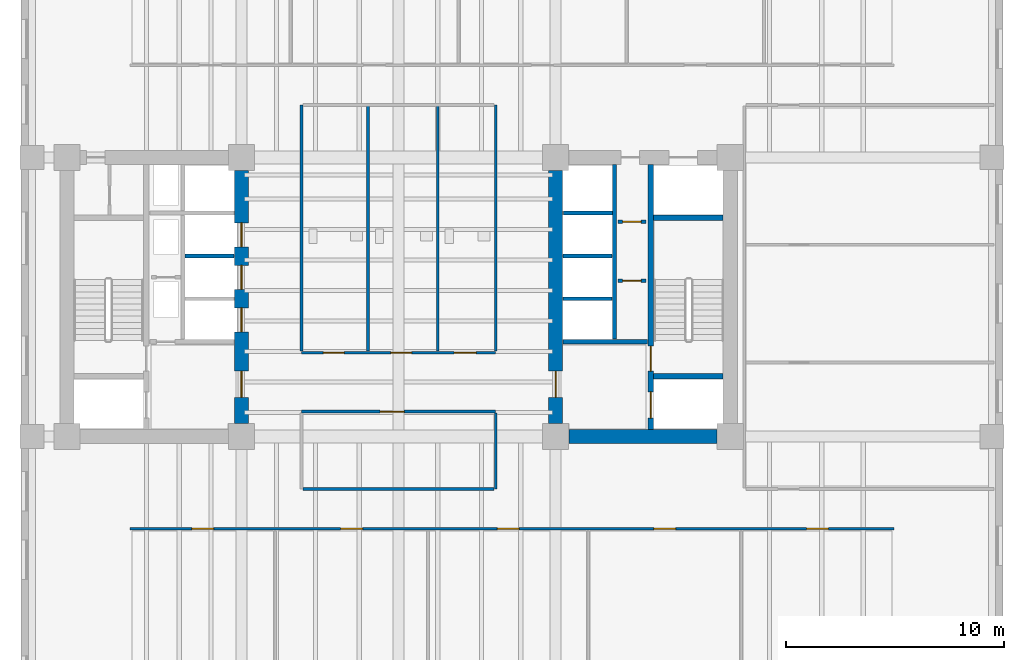
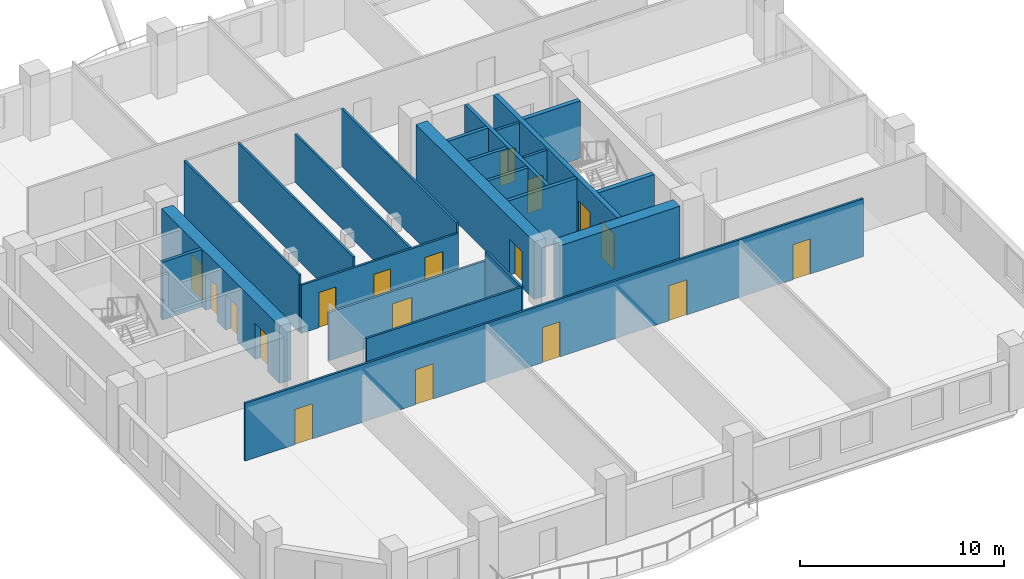
# One storey, part 6 of 12: 23 walls, 18 doors, 18 openings.
"""IFC4 building model written with IfcOpenShell, lengths in metres."""

from ifc_helpers import new_model, si_unit, direction, frame, frame_2d, origin, place, context, subcontext, project, spatial, rectangle, extrude, material, layer, layer_set, type_object, element, fill, save


model = new_model("IFC4")

# Units and contexts
model_context = context("Model", 3, precision=1e-05, world=origin(), true_north=direction((0.0, 1.0)))
body_context = subcontext(model_context, "Body", "Model", "MODEL_VIEW")
ifc_project = project(units=[si_unit("LENGTHUNIT", "METRE"), si_unit("AREAUNIT", "SQUARE_METRE"), si_unit("VOLUMEUNIT", "CUBIC_METRE"), si_unit("PLANEANGLEUNIT", "RADIAN"), si_unit("MASSUNIT", "GRAM", prefix="KILO")], contexts=[model_context])

# Site, building, storey
site_placement = place(None, origin())
site = spatial("IfcSite", under=ifc_project, at=site_placement, CompositionType="ELEMENT")
building_placement = place(site_placement, origin())
building = spatial("IfcBuilding", under=site, at=building_placement, Name="Kranthara Brick Stack", CompositionType="ELEMENT")
storey_placement = place(building_placement, frame((0.0, 0.0, 67.199951171875)))
storey = spatial("IfcBuildingStorey", under=building, at=storey_placement, Name="L16", CompositionType="ELEMENT", Elevation=67.199951171875)

# Wall, openings, doors
ifc_material_1 = material(Name="Concrete C50/60", Category="concrete")
ifc_layer_1 = layer(ifc_material_1, 0.25)
ifc_layer_set_1 = layer_set([ifc_layer_1], Name="Concrete C50/60")
wall_type_1 = type_object("IfcWallType", Name="WL-CORE-250", PredefinedType="SHEAR", material=ifc_layer_set_1)
wall_1_placement = place(storey_placement, frame((39.56494140625, 21.135009765625, 0.0), z_axis=(0.0, 0.0, 1.0), x_axis=(0.0, 1.0, 0.0)))
wall_1 = element("IfcWall", 1, at=wall_1_placement, inside=storey, type_object=wall_type_1, Name="L16 East Core Stair Bearing Spine Wall", PredefinedType="SHEAR", context=body_context, shape_type="SweptSolid", body=[
    extrude(rectangle(XDim=12.1298828125, YDim=0.25, at=frame_2d((6.06494140625, 0.0))), origin(), (0.0, 0.0, 1.0), 3.449951171875),
])
opening_1_placement = place(wall_1_placement, frame((0.514892578125, 0.0, 0.0)))
opening_1 = element("IfcOpeningElement", 2, at=opening_1_placement, cuts=wall_1, Name="Opening LD01", PredefinedType="OPENING", context=body_context, shape_type="SweptSolid", body=[
    extrude(rectangle(XDim=1.199951171875, YDim=2.14990234375, at=frame_2d((0.60009765625, 1.074951171875))), frame((0.0, 0.135009765625, 0.0), z_axis=(0.0, -1.0, 0.0), x_axis=(1.0, 0.0, 0.0)), (0.0, 0.0, 1.0), 0.27001953125),
])
opening_2_placement = place(wall_1_placement, frame((2.6650390625, 0.0, 0.0)))
opening_2 = element("IfcOpeningElement", 3, at=opening_2_placement, cuts=wall_1, Name="Opening D05", PredefinedType="OPENING", context=body_context, shape_type="SweptSolid", body=[
    extrude(rectangle(XDim=1.14990234375, YDim=2.14990234375, at=frame_2d((0.574951171875, 1.074951171875))), frame((0.0, 0.135009765625, 0.0), z_axis=(0.0, -1.0, 0.0), x_axis=(1.0, 0.0, 0.0)), (0.0, 0.0, 1.0), 0.27001953125),
])
ifc_material_2 = material(Name="Stainless steel sliding landing door", Category="steel")
door_type_1 = type_object("IfcDoorType", Name="DR-LD-FF1200", OperationType="DOUBLE_DOOR_SLIDING", PredefinedType="DOOR", material=ifc_material_2)
door_1_placement = place(opening_1_placement, origin())
door_1 = element("IfcDoor", 4, at=door_1_placement, inside=storey, type_object=door_type_1, Name="L16 Firefighting Lift FF-02 Landing Door", OperationType="DOUBLE_DOOR_SLIDING", OverallHeight=2.14990234375, OverallWidth=1.199951171875, PredefinedType="DOOR", context=body_context, shape_type="SweptSolid", body=[
    extrude(rectangle(XDim=1.199951171875, YDim=2.14990234375, at=frame_2d((0.60009765625, 1.074951171875))), frame((0.0, 0.02490234375, 0.0), z_axis=(0.0, -1.0, 0.0), x_axis=(1.0, 0.0, 0.0)), (0.0, 0.0, 1.0), 0.050048828125),
])
fill(opening_1, door_1)
ifc_material_3 = material(Name="Solid-core hardwood timber leaf in steel frame", Category="steel")
door_type_2 = type_object("IfcDoorType", Name="DR-ST-1150", OperationType="NOTDEFINED", PredefinedType="DOOR", material=ifc_material_3)
door_2_placement = place(opening_2_placement, origin())
door_2 = element("IfcDoor", 5, at=door_2_placement, inside=storey, type_object=door_type_2, Name="L16 Exit Stair ST02 Door", OperationType="SINGLE_SWING_LEFT", OverallHeight=2.14990234375, OverallWidth=1.14990234375, PredefinedType="DOOR", context=body_context, shape_type="SweptSolid", body=[
    extrude(rectangle(XDim=1.14990234375, YDim=2.14990234375, at=frame_2d((0.574951171875, 1.074951171875))), frame((0.0, 0.02490234375, 0.0), z_axis=(0.0, -1.0, 0.0), x_axis=(1.0, 0.0, 0.0)), (0.0, 0.0, 1.0), 0.050048828125),
])
fill(opening_2, door_2)

# Walls
for number, where, z_axis, x_axis, name in (
    (6, (39.68994140625, 23.570068359375, 0.0), (0.0, 0.0, 1.0), (1.0, 0.0, 0.0), "L16 East Stairwell Bearing Wall EFF"),
    (7, (39.68994140625, 30.830078125, 0.0), (0.0, 0.0, 1.0), (1.0, 0.0, 0.0), "L16 East Stairwell Bearing Wall EST"),
):
    element("IfcWall", number, at=place(storey_placement, frame(where, z_axis=z_axis, x_axis=x_axis)), inside=storey, type_object=wall_type_1, Name=name, PredefinedType="SHEAR", context=body_context, shape_type="SweptSolid", body=[
        extrude(rectangle(XDim=3.175048828125, YDim=0.25, at=frame_2d((1.58740234375, 0.0))), origin(), (0.0, 0.0, 1.0), 3.449951171875),
    ])

# Wall, openings, doors
ifc_material_4 = material(Name="Concrete C60/75", Category="concrete")
ifc_layer_2 = layer(ifc_material_4, 0.64990234375)
ifc_layer_set_2 = layer_set([ifc_layer_2], Name="Concrete C60/75")
wall_type_2 = type_object("IfcWallType", Name="WL-CORE-650", PredefinedType="SHEAR", material=ifc_layer_set_2)
wall_2_placement = place(storey_placement, frame((20.800048828125, 21.405029296875, 0.0), z_axis=(0.0, 0.0, 1.0), x_axis=(0.0, 1.0, 0.0)))
wall_2 = element("IfcWall", 8, at=wall_2_placement, inside=storey, type_object=wall_type_2, Name="L16 West Core Shear Wall East", PredefinedType="SHEAR", context=body_context, shape_type="SweptSolid", body=[
    extrude(rectangle(XDim=11.590087890625, YDim=0.64990234375, at=frame_2d((5.794921875, 0.0))), origin(), (0.0, 0.0, 1.0), 3.449951171875),
])
opening_3_placement = place(wall_2_placement, frame((1.195068359375, 0.0, 0.0)))
opening_3 = element("IfcOpeningElement", 9, at=opening_3_placement, cuts=wall_2, Name="Opening D06", PredefinedType="OPENING", context=body_context, shape_type="SweptSolid", body=[
    extrude(rectangle(XDim=1.199951171875, YDim=2.14990234375, at=frame_2d((0.60009765625, 1.074951171875))), frame((0.0, 0.3349609375, 0.0), z_axis=(0.0, -1.0, 0.0), x_axis=(1.0, 0.0, 0.0)), (0.0, 0.0, 1.0), 0.669921875),
])
opening_4_placement = place(wall_2_placement, frame((4.195068359375, 0.0, 0.0)))
opening_4 = element("IfcOpeningElement", 10, at=opening_4_placement, cuts=wall_2, Name="Opening LD02", PredefinedType="OPENING", context=body_context, shape_type="SweptSolid", body=[
    extrude(rectangle(XDim=1.10009765625, YDim=2.10009765625, at=frame_2d((0.550048828125, 1.050048828125))), frame((0.0, 0.3349609375, 0.0), z_axis=(0.0, -1.0, 0.0), x_axis=(1.0, 0.0, 0.0)), (0.0, 0.0, 1.0), 0.669921875),
])
opening_5_placement = place(wall_2_placement, frame((6.14501953125, 0.0, 0.0)))
opening_5 = element("IfcOpeningElement", 11, at=opening_5_placement, cuts=wall_2, Name="Opening LD02", PredefinedType="OPENING", context=body_context, shape_type="SweptSolid", body=[
    extrude(rectangle(XDim=1.10009765625, YDim=2.10009765625, at=frame_2d((0.550048828125, 1.050048828125))), frame((0.0, 0.3349609375, 0.0), z_axis=(0.0, -1.0, 0.0), x_axis=(1.0, 0.0, 0.0)), (0.0, 0.0, 1.0), 0.669921875),
])
opening_6_placement = place(wall_2_placement, frame((8.094970703125, 0.0, 0.0)))
opening_6 = element("IfcOpeningElement", 12, at=opening_6_placement, cuts=wall_2, Name="Opening LD02", PredefinedType="OPENING", context=body_context, shape_type="SweptSolid", body=[
    extrude(rectangle(XDim=1.10009765625, YDim=2.10009765625, at=frame_2d((0.550048828125, 1.050048828125))), frame((0.0, 0.3349609375, 0.0), z_axis=(0.0, -1.0, 0.0), x_axis=(1.0, 0.0, 0.0)), (0.0, 0.0, 1.0), 0.669921875),
])
ifc_material_5 = material(Name="Solid-core hardwood timber leaf in steel frame", Category="steel")
door_type_3 = type_object("IfcDoorType", Name="DR-FFL-1200", OperationType="NOTDEFINED", PredefinedType="DOOR", material=ifc_material_5)
door_3_placement = place(opening_3_placement, origin())
door_3 = element("IfcDoor", 13, at=door_3_placement, inside=storey, type_object=door_type_3, Name="L16 West Firefighting Lobby Door", OperationType="SINGLE_SWING_LEFT", OverallHeight=2.14990234375, OverallWidth=1.199951171875, PredefinedType="DOOR", context=body_context, shape_type="SweptSolid", body=[
    extrude(rectangle(XDim=1.199951171875, YDim=2.14990234375, at=frame_2d((0.60009765625, 1.074951171875))), frame((0.0, 0.02490234375, 0.0), z_axis=(0.0, -1.0, 0.0), x_axis=(1.0, 0.0, 0.0)), (0.0, 0.0, 1.0), 0.050048828125),
])
fill(opening_3, door_3)
ifc_material_6 = material(Name="Stainless steel sliding landing door", Category="steel")
door_type_4 = type_object("IfcDoorType", Name="DR-LD-PL1100", OperationType="DOUBLE_DOOR_SLIDING", PredefinedType="DOOR", material=ifc_material_6)
door_4_placement = place(opening_4_placement, origin())
door_4 = element("IfcDoor", 14, at=door_4_placement, inside=storey, type_object=door_type_4, Name="L16 PL-01 Lift Landing Door", OperationType="DOUBLE_DOOR_SLIDING", OverallHeight=2.10009765625, OverallWidth=1.10009765625, PredefinedType="DOOR", context=body_context, shape_type="SweptSolid", body=[
    extrude(rectangle(XDim=1.10009765625, YDim=2.10009765625, at=frame_2d((0.550048828125, 1.050048828125))), frame((0.0, 0.02490234375, 0.0), z_axis=(0.0, -1.0, 0.0), x_axis=(1.0, 0.0, 0.0)), (0.0, 0.0, 1.0), 0.050048828125),
])
fill(opening_4, door_4)
door_5_placement = place(opening_5_placement, origin())
door_5 = element("IfcDoor", 15, at=door_5_placement, inside=storey, type_object=door_type_4, Name="L16 PL-02 Lift Landing Door", OperationType="DOUBLE_DOOR_SLIDING", OverallHeight=2.10009765625, OverallWidth=1.10009765625, PredefinedType="DOOR", context=body_context, shape_type="SweptSolid", body=[
    extrude(rectangle(XDim=1.10009765625, YDim=2.10009765625, at=frame_2d((0.550048828125, 1.050048828125))), frame((0.0, 0.02490234375, 0.0), z_axis=(0.0, -1.0, 0.0), x_axis=(1.0, 0.0, 0.0)), (0.0, 0.0, 1.0), 0.050048828125),
])
fill(opening_5, door_5)
door_6_placement = place(opening_6_placement, origin())
door_6 = element("IfcDoor", 16, at=door_6_placement, inside=storey, type_object=door_type_4, Name="L16 PL-03 Lift Landing Door", OperationType="DOUBLE_DOOR_SLIDING", OverallHeight=2.10009765625, OverallWidth=1.10009765625, PredefinedType="DOOR", context=body_context, shape_type="SweptSolid", body=[
    extrude(rectangle(XDim=1.10009765625, YDim=2.10009765625, at=frame_2d((0.550048828125, 1.050048828125))), frame((0.0, 0.02490234375, 0.0), z_axis=(0.0, -1.0, 0.0), x_axis=(1.0, 0.0, 0.0)), (0.0, 0.0, 1.0), 0.050048828125),
])
fill(opening_6, door_6)

# Wall
wall_3_placement = place(storey_placement, frame((35.804931640625, 20.800048828125, 0.0), z_axis=(0.0, 0.0, 1.0), x_axis=(1.0, 0.0, 0.0)))
element("IfcWall", 17, at=wall_3_placement, inside=storey, type_object=wall_type_2, Name="L16 East Core Shear Wall South", PredefinedType="SHEAR", context=body_context, shape_type="SweptSolid", body=[
    extrude(rectangle(XDim=6.7900390625, YDim=0.64990234375, at=frame_2d((3.39501953125, 0.0))), origin(), (0.0, 0.0, 1.0), 3.449951171875),
])

# Wall, opening, door
wall_4_placement = place(storey_placement, frame((35.199951171875, 21.405029296875, 0.0), z_axis=(0.0, 0.0, 1.0), x_axis=(0.0, 1.0, 0.0)))
wall_4 = element("IfcWall", 18, at=wall_4_placement, inside=storey, type_object=wall_type_2, Name="L16 East Core Shear Wall West", PredefinedType="SHEAR", context=body_context, shape_type="SweptSolid", body=[
    extrude(rectangle(XDim=11.590087890625, YDim=0.64990234375, at=frame_2d((5.794921875, 0.0))), origin(), (0.0, 0.0, 1.0), 3.449951171875),
])
opening_7_placement = place(wall_4_placement, frame((1.195068359375, 0.0, 0.0)))
opening_7 = element("IfcOpeningElement", 19, at=opening_7_placement, cuts=wall_4, Name="Opening D06", PredefinedType="OPENING", context=body_context, shape_type="SweptSolid", body=[
    extrude(rectangle(XDim=1.199951171875, YDim=2.14990234375, at=frame_2d((0.60009765625, 1.074951171875))), frame((0.0, 0.3349609375, 0.0), z_axis=(0.0, -1.0, 0.0), x_axis=(1.0, 0.0, 0.0)), (0.0, 0.0, 1.0), 0.669921875),
])
door_7_placement = place(opening_7_placement, origin())
door_7 = element("IfcDoor", 20, at=door_7_placement, inside=storey, type_object=door_type_3, Name="L16 East Firefighting Lobby Door", OperationType="SINGLE_SWING_RIGHT", OverallHeight=2.14990234375, OverallWidth=1.199951171875, PredefinedType="DOOR", context=body_context, shape_type="SweptSolid", body=[
    extrude(rectangle(XDim=1.199951171875, YDim=2.14990234375, at=frame_2d((0.60009765625, 1.074951171875))), frame((0.0, 0.02490234375, 0.0), z_axis=(0.0, -1.0, 0.0), x_axis=(1.0, 0.0, 0.0)), (0.0, 0.0, 1.0), 0.050048828125),
])
fill(opening_7, door_7)

# Wall, openings, doors
ifc_material_7 = material(Name="Acoustic gypsum plasterboard partition", Category="other")
ifc_layer_3 = layer(ifc_material_7, 0.1201171875)
ifc_layer_set_3 = layer_set([ifc_layer_3], Name="Acoustic gypsum plasterboard partition")
wall_type_3 = type_object("IfcWallType", Name="WL-PART-120", PredefinedType="PARTITIONING", material=ifc_layer_set_3)
wall_5_placement = place(storey_placement, frame((23.550048828125, 24.64990234375, 0.0), z_axis=(0.0, 0.0, 1.0), x_axis=(1.0, 0.0, 0.0)))
wall_5 = element("IfcWall", 21, at=wall_5_placement, inside=storey, type_object=wall_type_3, Name="L16 Interior Partition 005", PredefinedType="PARTITIONING", context=body_context, shape_type="SweptSolid", body=[
    extrude(rectangle(XDim=8.89990234375, YDim=0.1201171875, at=frame_2d((4.449951171875, 0.0))), origin(), (0.0, 0.0, 1.0), 2.885009765625),
])
opening_8_placement = place(wall_5_placement, frame((1.0, 0.0, 0.0)))
opening_8 = element("IfcOpeningElement", 22, at=opening_8_placement, cuts=wall_5, Name="Opening D14", PredefinedType="OPENING", context=body_context, shape_type="SweptSolid", body=[
    extrude(rectangle(XDim=0.949951171875, YDim=2.10009765625, at=frame_2d((0.47509765625, 1.050048828125))), frame((0.0, 0.070068359375, 0.0), z_axis=(0.0, -1.0, 0.0), x_axis=(1.0, 0.0, 0.0)), (0.0, 0.0, 1.0), 0.14013671875),
])
opening_9_placement = place(wall_5_placement, frame((4.10009765625, 0.0, 0.0)))
opening_9 = element("IfcOpeningElement", 23, at=opening_9_placement, cuts=wall_5, Name="Opening D14", PredefinedType="OPENING", context=body_context, shape_type="SweptSolid", body=[
    extrude(rectangle(XDim=0.949951171875, YDim=2.10009765625, at=frame_2d((0.47509765625, 1.050048828125))), frame((0.0, 0.070068359375, 0.0), z_axis=(0.0, -1.0, 0.0), x_axis=(1.0, 0.0, 0.0)), (0.0, 0.0, 1.0), 0.14013671875),
])
opening_10_placement = place(wall_5_placement, frame((7.0, 0.0, 0.0)))
opening_10 = element("IfcOpeningElement", 24, at=opening_10_placement, cuts=wall_5, Name="Opening D18", PredefinedType="OPENING", context=body_context, shape_type="SweptSolid", body=[
    extrude(rectangle(XDim=1.0, YDim=2.10009765625, at=frame_2d((0.5, 1.050048828125))), frame((0.0, 0.070068359375, 0.0), z_axis=(0.0, -1.0, 0.0), x_axis=(1.0, 0.0, 0.0)), (0.0, 0.0, 1.0), 0.14013671875),
])
ifc_material_8 = material(Name="Solid-core hardwood timber leaf in steel frame", Category="steel")
door_type_5 = type_object("IfcDoorType", Name="DR-ACC-1000", OperationType="NOTDEFINED", PredefinedType="DOOR", material=ifc_material_8)
door_8_placement = place(opening_10_placement, origin())
door_8 = element("IfcDoor", 25, at=door_8_placement, inside=storey, type_object=door_type_5, Name="L16 Accessible WC Door 07", OperationType="SINGLE_SWING_LEFT", OverallHeight=2.10009765625, OverallWidth=1.0, PredefinedType="DOOR", context=body_context, shape_type="SweptSolid", body=[
    extrude(rectangle(XDim=1.0, YDim=2.10009765625, at=frame_2d((0.5, 1.050048828125))), frame((0.0, 0.02490234375, 0.0), z_axis=(0.0, -1.0, 0.0), x_axis=(1.0, 0.0, 0.0)), (0.0, 0.0, 1.0), 0.050048828125),
])
fill(opening_10, door_8)
ifc_material_9 = material(Name="Solid-core hardwood timber leaf in steel frame", Category="steel")
door_type_6 = type_object("IfcDoorType", Name="DR-INT-950", OperationType="NOTDEFINED", PredefinedType="DOOR", material=ifc_material_9)
door_9_placement = place(opening_8_placement, origin())
door_9 = element("IfcDoor", 26, at=door_9_placement, inside=storey, type_object=door_type_6, Name="L16 Male WC Door 05", OperationType="SINGLE_SWING_LEFT", OverallHeight=2.10009765625, OverallWidth=0.949951171875, PredefinedType="DOOR", context=body_context, shape_type="SweptSolid", body=[
    extrude(rectangle(XDim=0.949951171875, YDim=2.10009765625, at=frame_2d((0.47509765625, 1.050048828125))), frame((0.0, 0.02490234375, 0.0), z_axis=(0.0, -1.0, 0.0), x_axis=(1.0, 0.0, 0.0)), (0.0, 0.0, 1.0), 0.050048828125),
])
fill(opening_8, door_9)
door_10_placement = place(opening_9_placement, origin())
door_10 = element("IfcDoor", 27, at=door_10_placement, inside=storey, type_object=door_type_6, Name="L16 Female WC Door 06", OperationType="SINGLE_SWING_RIGHT", OverallHeight=2.10009765625, OverallWidth=0.949951171875, PredefinedType="DOOR", context=body_context, shape_type="SweptSolid", body=[
    extrude(rectangle(XDim=0.949951171875, YDim=2.10009765625, at=frame_2d((0.47509765625, 1.050048828125))), frame((0.0, 0.02490234375, 0.0), z_axis=(0.0, -1.0, 0.0), x_axis=(1.0, 0.0, 0.0)), (0.0, 0.0, 1.0), 0.050048828125),
])
fill(opening_9, door_10)

# Walls
for number, where, z_axis, x_axis, name in (
    (28, (23.550048828125, 24.715087890625, 0.0), (0.0, 0.0, 1.0), (0.0, 1.0, 0.0), "L16 Interior Partition 006"),
    (29, (32.449951171875, 24.715087890625, 0.0), (0.0, 0.0, 1.0), (0.0, 1.0, 0.0), "L16 Interior Partition 007"),
    (30, (26.60009765625, 24.715087890625, 0.0), (0.0, 0.0, 1.0), (0.0, 1.0, 0.0), "L16 Interior Partition 008"),
):
    element("IfcWall", number, at=place(storey_placement, frame(where, z_axis=z_axis, x_axis=x_axis)), inside=storey, type_object=wall_type_3, Name=name, PredefinedType="PARTITIONING", context=body_context, shape_type="SweptSolid", body=[
        extrude(rectangle(XDim=11.284912109375, YDim=0.1201171875, at=frame_2d((5.642578125, 0.0))), origin(), (0.0, 0.0, 1.0), 3.449951171875),
    ])
wall_6_placement = place(storey_placement, frame((29.800048828125, 24.715087890625, 0.0), z_axis=(0.0, 0.0, 1.0), x_axis=(0.0, 1.0, 0.0)))
element("IfcWall", 31, at=wall_6_placement, inside=storey, type_object=wall_type_3, Name="L16 Interior Partition 009", PredefinedType="PARTITIONING", context=body_context, shape_type="SweptSolid", body=[
    extrude(rectangle(XDim=11.284912109375, YDim=0.1201171875, at=frame_2d((5.642578125, 0.0))), origin(), (0.0, 0.0, 1.0), 2.885009765625),
])

# Wall, opening, door
wall_7_placement = place(storey_placement, frame((23.550048828125, 21.949951171875, 0.0), z_axis=(0.0, 0.0, 1.0), x_axis=(1.0, 0.0, 0.0)))
wall_7 = element("IfcWall", 32, at=wall_7_placement, inside=storey, type_object=wall_type_3, Name="L16 Interior Partition 011", PredefinedType="PARTITIONING", context=body_context, shape_type="SweptSolid", body=[
    extrude(rectangle(XDim=8.89990234375, YDim=0.1201171875, at=frame_2d((4.449951171875, 0.0))), origin(), (0.0, 0.0, 1.0), 2.885009765625),
])
opening_11_placement = place(wall_7_placement, frame((3.60009765625, 0.0, 0.0)))
opening_11 = element("IfcOpeningElement", 33, at=opening_11_placement, cuts=wall_7, Name="Opening D11", PredefinedType="OPENING", context=body_context, shape_type="SweptSolid", body=[
    extrude(rectangle(XDim=1.10009765625, YDim=2.14990234375, at=frame_2d((0.550048828125, 1.074951171875))), frame((0.0, 0.070068359375, 0.0), z_axis=(0.0, -1.0, 0.0), x_axis=(1.0, 0.0, 0.0)), (0.0, 0.0, 1.0), 0.14013671875),
])
ifc_material_10 = material(Name="Solid-core hardwood timber leaf in steel frame", Category="steel")
door_type_7 = type_object("IfcDoorType", Name="DR-INT-1100", OperationType="NOTDEFINED", PredefinedType="DOOR", material=ifc_material_10)
door_11_placement = place(opening_11_placement, origin())
door_11 = element("IfcDoor", 34, at=door_11_placement, inside=storey, type_object=door_type_7, Name="L16 Internal Briefing Room 08", OperationType="SINGLE_SWING_RIGHT", OverallHeight=2.14990234375, OverallWidth=1.10009765625, PredefinedType="DOOR", context=body_context, shape_type="SweptSolid", body=[
    extrude(rectangle(XDim=1.10009765625, YDim=2.14990234375, at=frame_2d((0.550048828125, 1.074951171875))), frame((0.0, 0.02490234375, 0.0), z_axis=(0.0, -1.0, 0.0), x_axis=(1.0, 0.0, 0.0)), (0.0, 0.0, 1.0), 0.050048828125),
])
fill(opening_11, door_11)

# Walls
wall_8_placement = place(storey_placement, frame((32.449951171875, 18.39990234375, 0.0), z_axis=(0.0, 0.0, 1.0), x_axis=(0.0, 1.0, 0.0)))
element("IfcWall", 35, at=wall_8_placement, inside=storey, type_object=wall_type_3, Name="L16 Interior Partition 013", PredefinedType="PARTITIONING", context=body_context, shape_type="SweptSolid", body=[
    extrude(rectangle(XDim=3.485107421875, YDim=0.1201171875, at=frame_2d((1.74267578125, 0.0))), origin(), (0.0, 0.0, 1.0), 3.449951171875),
])
wall_9_placement = place(storey_placement, frame((23.614990234375, 18.39990234375, 0.0), z_axis=(0.0, 0.0, 1.0), x_axis=(1.0, 0.0, 0.0)))
element("IfcWall", 36, at=wall_9_placement, inside=storey, type_object=wall_type_3, Name="L16 Interior Partition 014", PredefinedType="PARTITIONING", context=body_context, shape_type="SweptSolid", body=[
    extrude(rectangle(XDim=8.77001953125, YDim=0.1201171875, at=frame_2d((4.385009765625, 0.0))), origin(), (0.0, 0.0, 1.0), 3.449951171875),
])

# Wall, openings, doors
wall_10_placement = place(storey_placement, frame((15.699951171875, 16.580078125, 0.0), z_axis=(0.0, 0.0, 1.0), x_axis=(1.0, 0.0, 0.0)))
wall_10 = element("IfcWall", 37, at=wall_10_placement, inside=storey, type_object=wall_type_3, Name="L16 Interior Partition 015", PredefinedType="PARTITIONING", context=body_context, shape_type="SweptSolid", body=[
    extrude(rectangle(XDim=35.0, YDim=0.1201171875, at=frame_2d((17.5, 0.0))), origin(), (0.0, 0.0, 1.0), 3.449951171875),
])
opening_12_placement = place(wall_10_placement, frame((2.824951171875, 0.0, 0.0)))
opening_12 = element("IfcOpeningElement", 38, at=opening_12_placement, cuts=wall_10, Name="Opening D13", PredefinedType="OPENING", context=body_context, shape_type="SweptSolid", body=[
    extrude(rectangle(XDim=1.0, YDim=2.10009765625, at=frame_2d((0.5, 1.050048828125))), frame((0.0, 0.070068359375, 0.0), z_axis=(0.0, -1.0, 0.0), x_axis=(1.0, 0.0, 0.0)), (0.0, 0.0, 1.0), 0.14013671875),
])
opening_13_placement = place(wall_10_placement, frame((9.64990234375, 0.0, 0.0)))
opening_13 = element("IfcOpeningElement", 39, at=opening_13_placement, cuts=wall_10, Name="Opening D13", PredefinedType="OPENING", context=body_context, shape_type="SweptSolid", body=[
    extrude(rectangle(XDim=1.0, YDim=2.10009765625, at=frame_2d((0.5, 1.050048828125))), frame((0.0, 0.070068359375, 0.0), z_axis=(0.0, -1.0, 0.0), x_axis=(1.0, 0.0, 0.0)), (0.0, 0.0, 1.0), 0.14013671875),
])
opening_14_placement = place(wall_10_placement, frame((16.824951171875, 0.0, 0.0)))
opening_14 = element("IfcOpeningElement", 40, at=opening_14_placement, cuts=wall_10, Name="Opening D13", PredefinedType="OPENING", context=body_context, shape_type="SweptSolid", body=[
    extrude(rectangle(XDim=1.0, YDim=2.10009765625, at=frame_2d((0.5, 1.050048828125))), frame((0.0, 0.070068359375, 0.0), z_axis=(0.0, -1.0, 0.0), x_axis=(1.0, 0.0, 0.0)), (0.0, 0.0, 1.0), 0.14013671875),
])
opening_15_placement = place(wall_10_placement, frame((24.0, 0.0, 0.0)))
opening_15 = element("IfcOpeningElement", 41, at=opening_15_placement, cuts=wall_10, Name="Opening D13", PredefinedType="OPENING", context=body_context, shape_type="SweptSolid", body=[
    extrude(rectangle(XDim=1.0, YDim=2.10009765625, at=frame_2d((0.5, 1.050048828125))), frame((0.0, 0.070068359375, 0.0), z_axis=(0.0, -1.0, 0.0), x_axis=(1.0, 0.0, 0.0)), (0.0, 0.0, 1.0), 0.14013671875),
])
opening_16_placement = place(wall_10_placement, frame((31.0, 0.0, 0.0)))
opening_16 = element("IfcOpeningElement", 42, at=opening_16_placement, cuts=wall_10, Name="Opening D13", PredefinedType="OPENING", context=body_context, shape_type="SweptSolid", body=[
    extrude(rectangle(XDim=1.0, YDim=2.10009765625, at=frame_2d((0.5, 1.050048828125))), frame((0.0, 0.070068359375, 0.0), z_axis=(0.0, -1.0, 0.0), x_axis=(1.0, 0.0, 0.0)), (0.0, 0.0, 1.0), 0.14013671875),
])
ifc_material_11 = material(Name="Solid-core hardwood timber leaf in steel frame", Category="steel")
door_type_8 = type_object("IfcDoorType", Name="DR-INT-1000", OperationType="NOTDEFINED", PredefinedType="DOOR", material=ifc_material_11)
door_12_placement = place(opening_12_placement, origin())
door_12 = element("IfcDoor", 43, at=door_12_placement, inside=storey, type_object=door_type_8, Name="L16 Executive Cellular Office 09", OperationType="SINGLE_SWING_LEFT", OverallHeight=2.10009765625, OverallWidth=1.0, PredefinedType="DOOR", context=body_context, shape_type="SweptSolid", body=[
    extrude(rectangle(XDim=1.0, YDim=2.10009765625, at=frame_2d((0.5, 1.050048828125))), frame((0.0, 0.02490234375, 0.0), z_axis=(0.0, -1.0, 0.0), x_axis=(1.0, 0.0, 0.0)), (0.0, 0.0, 1.0), 0.050048828125),
])
fill(opening_12, door_12)
door_13_placement = place(opening_13_placement, origin())
door_13 = element("IfcDoor", 44, at=door_13_placement, inside=storey, type_object=door_type_8, Name="L16 Executive Cellular Office 10", OperationType="SINGLE_SWING_RIGHT", OverallHeight=2.10009765625, OverallWidth=1.0, PredefinedType="DOOR", context=body_context, shape_type="SweptSolid", body=[
    extrude(rectangle(XDim=1.0, YDim=2.10009765625, at=frame_2d((0.5, 1.050048828125))), frame((0.0, 0.02490234375, 0.0), z_axis=(0.0, -1.0, 0.0), x_axis=(1.0, 0.0, 0.0)), (0.0, 0.0, 1.0), 0.050048828125),
])
fill(opening_13, door_13)
door_14_placement = place(opening_14_placement, origin())
door_14 = element("IfcDoor", 45, at=door_14_placement, inside=storey, type_object=door_type_8, Name="L16 Executive Cellular Office 11", OperationType="SINGLE_SWING_LEFT", OverallHeight=2.10009765625, OverallWidth=1.0, PredefinedType="DOOR", context=body_context, shape_type="SweptSolid", body=[
    extrude(rectangle(XDim=1.0, YDim=2.10009765625, at=frame_2d((0.5, 1.050048828125))), frame((0.0, 0.02490234375, 0.0), z_axis=(0.0, -1.0, 0.0), x_axis=(1.0, 0.0, 0.0)), (0.0, 0.0, 1.0), 0.050048828125),
])
fill(opening_14, door_14)
door_15_placement = place(opening_15_placement, origin())
door_15 = element("IfcDoor", 46, at=door_15_placement, inside=storey, type_object=door_type_8, Name="L16 Executive Cellular Office 12", OperationType="SINGLE_SWING_RIGHT", OverallHeight=2.10009765625, OverallWidth=1.0, PredefinedType="DOOR", context=body_context, shape_type="SweptSolid", body=[
    extrude(rectangle(XDim=1.0, YDim=2.10009765625, at=frame_2d((0.5, 1.050048828125))), frame((0.0, 0.02490234375, 0.0), z_axis=(0.0, -1.0, 0.0), x_axis=(1.0, 0.0, 0.0)), (0.0, 0.0, 1.0), 0.050048828125),
])
fill(opening_15, door_15)
door_16_placement = place(opening_16_placement, origin())
door_16 = element("IfcDoor", 47, at=door_16_placement, inside=storey, type_object=door_type_8, Name="L16 Focus Study Room 13", OperationType="SINGLE_SWING_LEFT", OverallHeight=2.10009765625, OverallWidth=1.0, PredefinedType="DOOR", context=body_context, shape_type="SweptSolid", body=[
    extrude(rectangle(XDim=1.0, YDim=2.10009765625, at=frame_2d((0.5, 1.050048828125))), frame((0.0, 0.02490234375, 0.0), z_axis=(0.0, -1.0, 0.0), x_axis=(1.0, 0.0, 0.0)), (0.0, 0.0, 1.0), 0.050048828125),
])
fill(opening_16, door_16)

# Wall, opening, door
ifc_material_12 = material(Name="Fire-rated gypsum board partition", Category="other")
ifc_layer_4 = layer(ifc_material_12, 0.14990234375)
ifc_layer_set_4 = layer_set([ifc_layer_4], Name="Fire-rated gypsum board partition")
wall_type_4 = type_object("IfcWallType", Name="WL-PART-150", PredefinedType="PARTITIONING", material=ifc_layer_set_4)
wall_11_placement = place(storey_placement, frame((38.050048828125, 27.949951171875, 0.0), z_axis=(0.0, 0.0, 1.0), x_axis=(1.0, 0.0, 0.0)))
wall_11 = element("IfcWall", 48, at=wall_11_placement, inside=storey, type_object=wall_type_4, Name="L16 Interior Partition 002", PredefinedType="PARTITIONING", context=body_context, shape_type="SweptSolid", body=[
    extrude(rectangle(XDim=1.300048828125, YDim=0.14990234375, at=frame_2d((0.64990234375, 0.0))), origin(), (0.0, 0.0, 1.0), 3.449951171875),
])
opening_17_placement = place(wall_11_placement, frame((0.219970703125, 0.0, 0.0)))
opening_17 = element("IfcOpeningElement", 49, at=opening_17_placement, cuts=wall_11, Name="Opening D10", PredefinedType="OPENING", context=body_context, shape_type="SweptSolid", body=[
    extrude(rectangle(XDim=0.85009765625, YDim=2.02001953125, at=frame_2d((0.425048828125, 1.010009765625))), frame((0.0, 0.0849609375, 0.0), z_axis=(0.0, -1.0, 0.0), x_axis=(1.0, 0.0, 0.0)), (0.0, 0.0, 1.0), 0.169921875),
])
ifc_material_13 = material(Name="Solid-core hardwood timber leaf in steel frame", Category="steel")
door_type_9 = type_object("IfcDoorType", Name="DR-RSR-850", OperationType="NOTDEFINED", PredefinedType="DOOR", material=ifc_material_13)
door_17_placement = place(opening_17_placement, origin())
door_17 = element("IfcDoor", 50, at=door_17_placement, inside=storey, type_object=door_type_9, Name="L16 Riser Door 1 02", OperationType="SINGLE_SWING_RIGHT", OverallHeight=2.02001953125, OverallWidth=0.85009765625, PredefinedType="DOOR", context=body_context, shape_type="SweptSolid", body=[
    extrude(rectangle(XDim=0.85009765625, YDim=2.02001953125, at=frame_2d((0.425048828125, 1.010009765625))), frame((0.0, 0.02490234375, 0.0), z_axis=(0.0, -1.0, 0.0), x_axis=(1.0, 0.0, 0.0)), (0.0, 0.0, 1.0), 0.050048828125),
])
fill(opening_17, door_17)

wall_12_placement = place(storey_placement, frame((38.050048828125, 30.64990234375, 0.0), z_axis=(0.0, 0.0, 1.0), x_axis=(1.0, 0.0, 0.0)))
wall_12 = element("IfcWall", 51, at=wall_12_placement, inside=storey, type_object=wall_type_4, Name="L16 Interior Partition 003", PredefinedType="PARTITIONING", context=body_context, shape_type="SweptSolid", body=[
    extrude(rectangle(XDim=1.300048828125, YDim=0.14990234375, at=frame_2d((0.64990234375, 0.0))), origin(), (0.0, 0.0, 1.0), 3.449951171875),
])
opening_18_placement = place(wall_12_placement, frame((0.219970703125, 0.0, 0.0)))
opening_18 = element("IfcOpeningElement", 52, at=opening_18_placement, cuts=wall_12, Name="Opening D10", PredefinedType="OPENING", context=body_context, shape_type="SweptSolid", body=[
    extrude(rectangle(XDim=0.85009765625, YDim=2.02001953125, at=frame_2d((0.425048828125, 1.010009765625))), frame((0.0, 0.0849609375, 0.0), z_axis=(0.0, -1.0, 0.0), x_axis=(1.0, 0.0, 0.0)), (0.0, 0.0, 1.0), 0.169921875),
])
door_18_placement = place(opening_18_placement, origin())
door_18 = element("IfcDoor", 53, at=door_18_placement, inside=storey, type_object=door_type_9, Name="L16 Riser Door 2 03", OperationType="SINGLE_SWING_LEFT", OverallHeight=2.02001953125, OverallWidth=0.85009765625, PredefinedType="DOOR", context=body_context, shape_type="SweptSolid", body=[
    extrude(rectangle(XDim=0.85009765625, YDim=2.02001953125, at=frame_2d((0.425048828125, 1.010009765625))), frame((0.0, 0.02490234375, 0.0), z_axis=(0.0, -1.0, 0.0), x_axis=(1.0, 0.0, 0.0)), (0.0, 0.0, 1.0), 0.050048828125),
])
fill(opening_18, door_18)

# Walls
ifc_material_14 = material(Name="Gypsum plasterboard on acoustic twin stud", Category="other")
ifc_layer_5 = layer(ifc_material_14, 0.179931640625)
ifc_layer_set_5 = layer_set([ifc_layer_5], Name="Gypsum plasterboard on acoustic twin stud")
wall_type_5 = type_object("IfcWallType", Name="WL-PART-180", PredefinedType="PARTITIONING", material=ifc_layer_set_5)
for number, where, z_axis, x_axis, name in (
    (54, (18.219970703125, 29.080078125, 0.0), (0.0, 0.0, 1.0), (1.0, 0.0, 0.0), "L16 West Hoistway Wall WH2"),
    (55, (35.534912109375, 27.1201171875, 0.0), (0.0, 0.0, 1.0), (1.0, 0.0, 0.0), "L16 East Hoistway Wall EH1"),
    (56, (35.534912109375, 29.080078125, 0.0), (0.0, 0.0, 1.0), (1.0, 0.0, 0.0), "L16 East Hoistway Wall EH2"),
):
    element("IfcWall", number, at=place(storey_placement, frame(where, z_axis=z_axis, x_axis=x_axis)), inside=storey, type_object=wall_type_5, Name=name, PredefinedType="PARTITIONING", context=body_context, shape_type="SweptSolid", body=[
        extrude(rectangle(XDim=2.2451171875, YDim=0.179931640625, at=frame_2d((1.12255859375, 0.0))), origin(), (0.0, 0.0, 1.0), 3.449951171875),
    ])
ifc_material_15 = material(Name="Concrete C40/50", Category="concrete")
ifc_layer_6 = layer(ifc_material_15, 0.199951171875)
ifc_layer_set_6 = layer_set([ifc_layer_6], Name="Concrete C40/50")
wall_type_6 = type_object("IfcWallType", Name="WL-PART-200", PredefinedType="SOLIDWALL", material=ifc_layer_set_6)
wall_13_placement = place(storey_placement, frame((35.534912109375, 25.14990234375, 0.0), z_axis=(0.0, 0.0, 1.0), x_axis=(1.0, 0.0, 0.0)))
element("IfcWall", 57, at=wall_13_placement, inside=storey, type_object=wall_type_6, Name="L16 East Core Cross Wall EFL", PredefinedType="SOLIDWALL", context=body_context, shape_type="SweptSolid", body=[
    extrude(rectangle(XDim=3.864990234375, YDim=0.199951171875, at=frame_2d((1.9326171875, 0.0))), origin(), (0.0, 0.0, 1.0), 3.449951171875),
])
wall_14_placement = place(storey_placement, frame((35.550048828125, 31.050048828125, 0.0), z_axis=(0.0, 0.0, 1.0), x_axis=(1.0, 0.0, 0.0)))
element("IfcWall", 58, at=wall_14_placement, inside=storey, type_object=wall_type_6, Name="L16 East Core Cross Wall EE4", PredefinedType="SOLIDWALL", context=body_context, shape_type="SweptSolid", body=[
    extrude(rectangle(XDim=2.25, YDim=0.199951171875, at=frame_2d((1.125, 0.0))), origin(), (0.0, 0.0, 1.0), 3.449951171875),
])
wall_15_placement = place(storey_placement, frame((37.89990234375, 25.27001953125, 0.0), z_axis=(0.0, 0.0, 1.0), x_axis=(0.0, 1.0, 0.0)))
element("IfcWall", 59, at=wall_15_placement, inside=storey, type_object=wall_type_6, Name="L16 East Core Cross Wall ESV", PredefinedType="SOLIDWALL", context=body_context, shape_type="SweptSolid", body=[
    extrude(rectangle(XDim=7.994873046875, YDim=0.199951171875, at=frame_2d((3.99755859375, 0.0))), origin(), (0.0, 0.0, 1.0), 3.449951171875),
])

save(model, "model.ifc")
